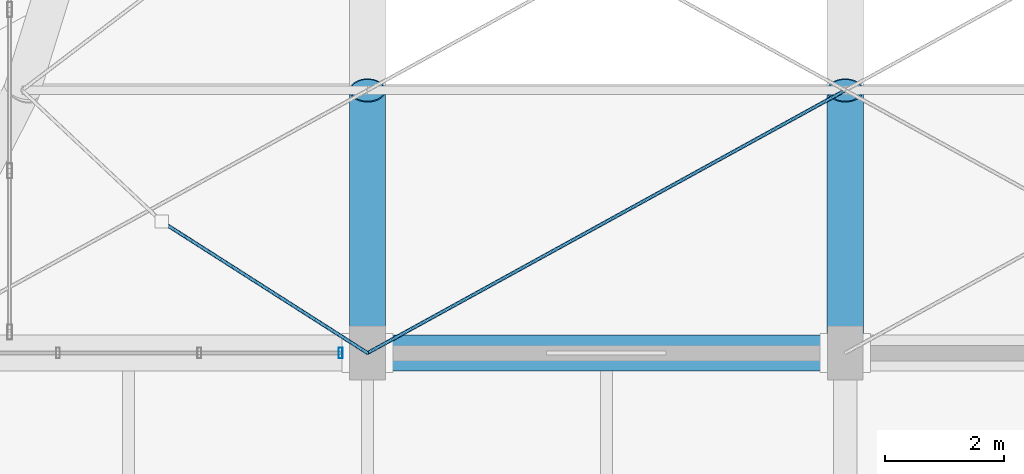
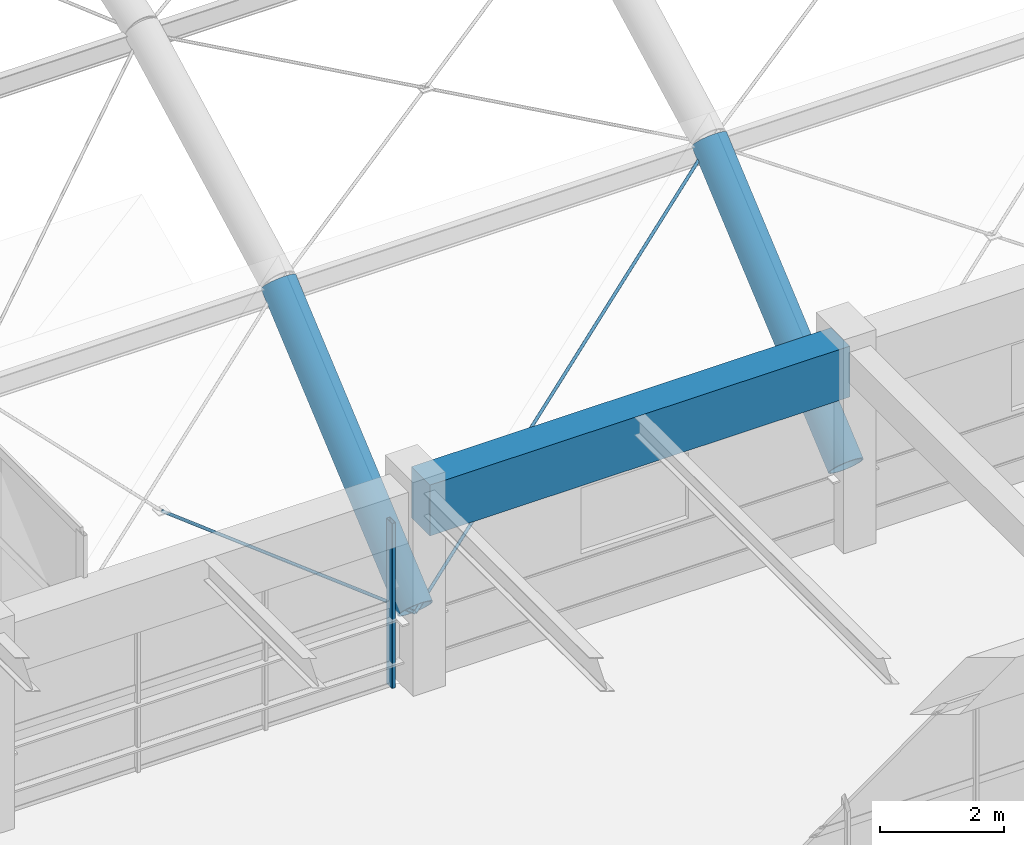
# One storey, part 35 of 126: 3 beams, 3 members, 1 element without a shape of its own.
"""IFC4 building model written with IfcOpenShell, lengths in metres."""

from ifc_helpers import new_model, si_unit, direction, frame, origin, origin_2d, place, context, subcontext, project, spatial, rectangle, hollow_rectangle, circle, hollow_circle, extrude, material, material_profile, profile_set, type_object, element, aggregate, save


model = new_model("IFC4")

# Units and contexts
model_context = context("Model", 3, precision=1e-05, world=origin(), true_north=direction((0.0, 1.0)))
body_context = subcontext(model_context, "Body", "Model", "MODEL_VIEW")
ifc_project = project(units=[si_unit("LENGTHUNIT", "METRE"), si_unit("AREAUNIT", "SQUARE_METRE"), si_unit("VOLUMEUNIT", "CUBIC_METRE"), si_unit("PLANEANGLEUNIT", "RADIAN"), si_unit("MASSUNIT", "GRAM", prefix="KILO")], contexts=[model_context])

# Site, building, storey
site_placement = place(None, origin())
site = spatial("IfcSite", under=ifc_project, at=site_placement, CompositionType="ELEMENT")
building_placement = place(site_placement, origin())
building = spatial("IfcBuilding", under=site, at=building_placement, Name="Varnabhumi Central Station", CompositionType="ELEMENT")
storey_placement = place(building_placement, frame((0.0, 0.0, 16.199951171875)))
storey = spatial("IfcBuildingStorey", under=building, at=storey_placement, Name="L03", CompositionType="ELEMENT", Elevation=16.199951171875)

# Beams
ifc_material_1 = material(Name="Structural steel E450", Category="steel")
ifc_material_profile_1 = material_profile(ifc_material_1, hollow_circle(Radius=0.304931640625, WallThickness=0.02490234375, at=origin_2d()), Name="Structural steel E450", Category="steel")
ifc_profile_set_1 = profile_set([ifc_material_profile_1], Name="Structural steel E450")
beam_type_1 = type_object("IfcBeamType", Name="BM-ARCH-CHS610", PredefinedType="BEAM", material=ifc_profile_set_1)
for number, where, z_axis, x_axis, name in (
    (1, (136.0, 36.0, 1.35009765625), (0.0, 0.761369888875, 0.648317740244), (-1.0, 0.0, 0.0), "Platform Train-Shed Vault Arch Rib 2 Seg 1"),
    (2, (144.0, 36.0, 1.35009765625), (0.0, 0.761369888875, 0.648317740244), (-1.0, 0.0, 0.0), "Platform Train-Shed Vault Arch Rib 3 Seg 1"),
):
    element("IfcBeam", number, at=place(storey_placement, frame(where, z_axis=z_axis, x_axis=x_axis)), inside=storey, type_object=beam_type_1, Name=name, PredefinedType="BEAM", context=body_context, shape_type="SweptSolid", body=[
        extrude(hollow_circle(Radius=0.304931640625, WallThickness=0.02490234375, at=origin_2d()), origin(), (0.0, 0.0, 1.0), 5.77880859375),
    ])
ifc_material_2 = material(Name="Concrete M50", Category="concrete")
ifc_material_profile_2 = material_profile(ifc_material_2, rectangle(XDim=0.60009765625, YDim=1.0, at=origin_2d()), Name="Concrete M50", Category="concrete")
ifc_profile_set_2 = profile_set([ifc_material_profile_2], Name="Concrete M50")
beam_type_2 = type_object("IfcBeamType", Name="BM-RC-600x1000", PredefinedType="BEAM", material=ifc_profile_set_2)
beam_placement = place(storey_placement, frame((136.10009765625, 36.0, 3.420166015625), z_axis=(1.0, 0.0, 0.0), x_axis=(0.0, 1.0, 0.0)))
element("IfcBeam", 3, at=beam_placement, inside=storey, type_object=beam_type_2, Name="Beam L03-E:18-19", PredefinedType="BEAM", context=body_context, shape_type="SweptSolid", body=[
    extrude(rectangle(XDim=0.60009765625, YDim=1.0, at=origin_2d()), origin(), (0.0, 0.0, 1.0), 7.7998046875),
])

# Curtain wall, member
ifc_material_3 = material(Name="Anodised aluminium 6063-T6", Category="aluminium")
curtain_wall_type = type_object("IfcCurtainWallType", Name="CW-SPINE-SCREEN-L0", PredefinedType="NOTDEFINED", material=ifc_material_3)
curtain_wall_placement = place(storey_placement, origin())
curtain_wall = element("IfcCurtainWall", 4, at=curtain_wall_placement, inside=storey, type_object=curtain_wall_type, Name="Curtain Wall CW-SS312", PredefinedType="NOTDEFINED")
ifc_material_profile_3 = material_profile(ifc_material_3, hollow_rectangle(XDim=0.06494140625, YDim=0.179931640625, WallThickness=0.00390625, InnerFilletRadius=0.001953125, OuterFilletRadius=0.006103515625, at=origin_2d()), Name="Anodised aluminium 6063-T6", Category="aluminium")
ifc_profile_set_3 = profile_set([ifc_material_profile_3], Name="Anodised aluminium 6063-T6")
member_type_1 = type_object("IfcMemberType", Name="CW-MUL-180", PredefinedType="MULLION", material=ifc_profile_set_3)
member_1_placement = place(storey_placement, frame((135.550048828125, 36.0, 0.0), z_axis=(0.0, 0.0, 1.0), x_axis=(1.0, 0.0, 0.0)))
member_1 = element("IfcMember", 5, at=member_1_placement, type_object=member_type_1, Name="Curtain Wall Mullion CW-SS312-M4", PredefinedType="MULLION", context=body_context, shape_type="SweptSolid", body=[
    extrude(hollow_rectangle(XDim=0.06494140625, YDim=0.179931640625, WallThickness=0.00390625, InnerFilletRadius=0.001953125, OuterFilletRadius=0.006103515625, at=origin_2d()), origin(), (0.0, 0.0, 1.0), 3.239990234375),
])
aggregate(curtain_wall, [member_1])

# Members
ifc_material_4 = material(Name="Spiral-strand steel S1570", Category="steel")
ifc_material_profile_4 = material_profile(ifc_material_4, circle(Radius=0.030029296875, at=origin_2d()), Name="Spiral-strand steel S1570", Category="steel")
ifc_profile_set_4 = profile_set([ifc_material_profile_4], Name="Spiral-strand steel S1570")
member_type_2 = type_object("IfcMemberType", Name="MBR-CABLE-D60", PredefinedType="USERDEFINED", material=ifc_profile_set_4)
member_2_placement = place(storey_placement, frame((132.553466796875, 38.199951171875, 3.143310546875), z_axis=(0.766320311034, -0.489148708842, -0.416517372428), x_axis=(0.538041771468, 0.84291817643, 0.0)))
element("IfcMember", 6, at=member_2_placement, inside=storey, type_object=member_type_2, Name="Platform Train-Shed Vault Cable-Net Split Tie B1-P1B2", ObjectType="TENSION CABLE", PredefinedType="USERDEFINED", context=body_context, shape_type="SweptSolid", body=[
    extrude(circle(Radius=0.030029296875, at=origin_2d()), origin(), (0.0, 0.0, 1.0), 4.49755859375),
])
member_3_placement = place(storey_placement, frame((136.0, 36.0, 1.27001953125), z_axis=(0.810623868746, 0.4458332325, 0.379633602593), x_axis=(-0.481910537812, 0.876220425204, 0.0)))
element("IfcMember", 7, at=member_3_placement, inside=storey, type_object=member_type_2, Name="Platform Train-Shed Vault Cable-Net Tie B2-P1A", ObjectType="TENSION CABLE", PredefinedType="USERDEFINED", context=body_context, shape_type="SweptSolid", body=[
    extrude(circle(Radius=0.030029296875, at=origin_2d()), origin(), (0.0, 0.0, 1.0), 9.868896484375),
])

save(model, "model.ifc")
